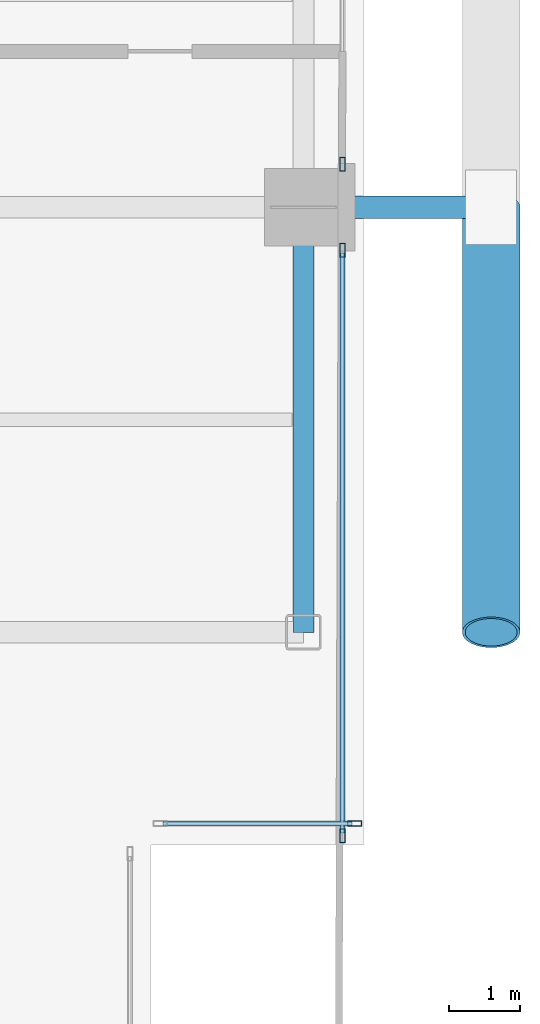
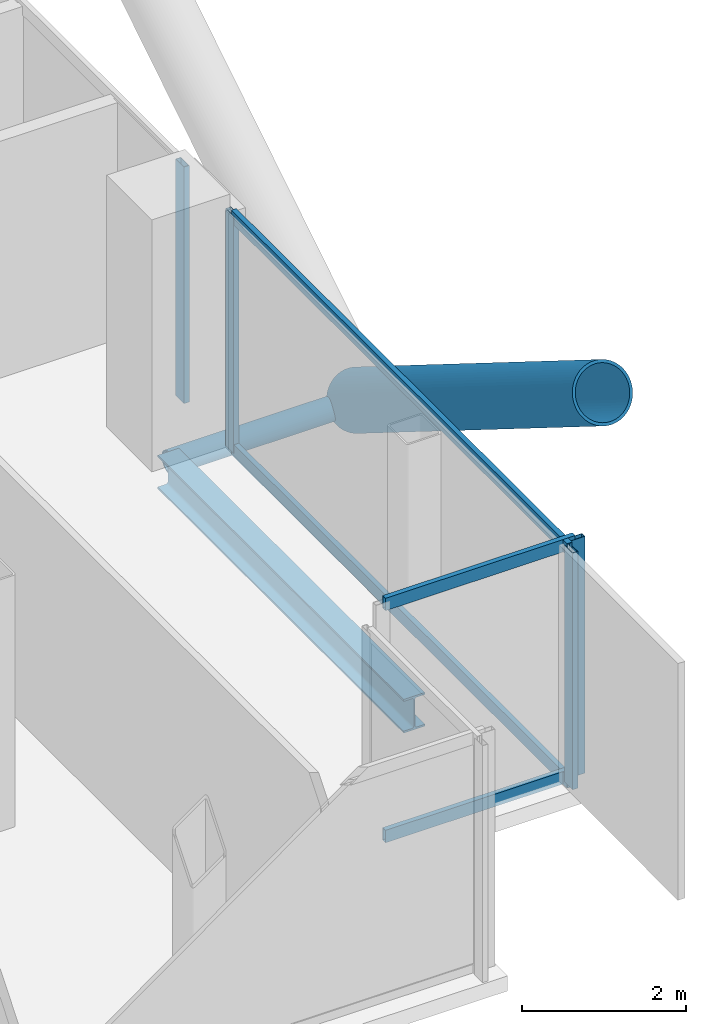
# One storey, part 11 of 24: 10 members, 1 beam, 3 elements without a shape of their own.
"""IFC4 building model written with IfcOpenShell, lengths in metres."""

from ifc_helpers import new_model, si_unit, direction, frame, origin, origin_2d, place, context, subcontext, project, spatial, hollow_rectangle, hollow_circle, i_section, extrude, material, layer, layer_set, material_profile, profile_set, type_object, element, aggregate, save


model = new_model("IFC4")

# Units and contexts
model_context = context("Model", 3, precision=1e-05, world=origin(), true_north=direction((0.0, 1.0)))
body_context = subcontext(model_context, "Body", "Model", "MODEL_VIEW")
ifc_project = project(units=[si_unit("LENGTHUNIT", "METRE"), si_unit("AREAUNIT", "SQUARE_METRE"), si_unit("VOLUMEUNIT", "CUBIC_METRE"), si_unit("PLANEANGLEUNIT", "RADIAN"), si_unit("MASSUNIT", "GRAM", prefix="KILO"), si_unit("THERMODYNAMICTEMPERATUREUNIT", "KELVIN"), si_unit("POWERUNIT", "WATT")], contexts=[model_context])

# Site, building, storey
site_placement = place(None, origin())
site = spatial("IfcSite", under=ifc_project, at=site_placement, CompositionType="ELEMENT")
building_placement = place(site_placement, origin())
building = spatial("IfcBuilding", under=site, at=building_placement, Name="Svarakhadi Broadcast Tower", CompositionType="ELEMENT")
storey_placement = place(building_placement, frame((0.0, 0.0, 145.64990234375)))
storey = spatial("IfcBuildingStorey", under=building, at=storey_placement, Name="L35", CompositionType="ELEMENT", Elevation=145.64990234375)

# Curtain wall, member
ifc_material_1 = material(Name="Anodised Bronze Aluminium AA 6063-T6", Category="aluminium")
ifc_layer = layer(ifc_material_1, 0.199951171875)
ifc_layer_set = layer_set([ifc_layer], Name="Anodised Bronze Aluminium AA 6063-T6")
curtain_wall_type = type_object("IfcCurtainWallType", Name="CW_Sys_03", PredefinedType="NOTDEFINED", material=ifc_layer_set)
curtain_wall_1_placement = place(storey_placement, origin())
curtain_wall_1 = element("IfcCurtainWall", 1, at=curtain_wall_1_placement, inside=storey, type_object=curtain_wall_type, Name="L35 Unitised Facade Curtain Wall 13 Bay 1", PredefinedType="NOTDEFINED")
ifc_material_profile_1 = material_profile(ifc_material_1, hollow_rectangle(XDim=0.074951171875, YDim=0.199951171875, WallThickness=0.005615234375, at=origin_2d()), Name="ALU MULLION 200x75x6")
ifc_profile_set_1 = profile_set([ifc_material_profile_1], Name="Anodised Bronze Aluminium AA 6063-T6")
member_type_1 = type_object("IfcMemberType", Name="CW_Sys_03_Mul", PredefinedType="MULLION", material=ifc_profile_set_1)
member_1_placement = place(storey_placement, frame((47.699951171875, 12.607421875, 0.0), z_axis=(0.0, 0.0, 1.0), x_axis=(1.0, 0.0, 0.0)))
member_1 = element("IfcMember", 2, at=member_1_placement, type_object=member_type_1, Name="CW-03 mullion 2", PredefinedType="MULLION", context=body_context, shape_type="SweptSolid", body=[
    extrude(hollow_rectangle(XDim=0.074951171875, YDim=0.199951171875, WallThickness=0.005615234375, at=origin_2d()), origin(), (0.0, 0.0, 1.0), 3.525146484375),
])
aggregate(curtain_wall_1, [member_1])

# Curtain wall, members
curtain_wall_2_placement = place(storey_placement, origin())
curtain_wall_2 = element("IfcCurtainWall", 3, at=curtain_wall_2_placement, inside=storey, type_object=curtain_wall_type, Name="L35 Unitised Facade Curtain Wall 13 Bay 2", PredefinedType="NOTDEFINED")
member_2_placement = place(storey_placement, frame((47.699951171875, 11.392578125, 0.0), z_axis=(0.0, 0.0, 1.0), x_axis=(1.0, 0.0, 0.0)))
member_2 = element("IfcMember", 4, at=member_2_placement, type_object=member_type_1, Name="CW-03 mullion 1", PredefinedType="MULLION", context=body_context, shape_type="SweptSolid", body=[
    extrude(hollow_rectangle(XDim=0.074951171875, YDim=0.199951171875, WallThickness=0.005615234375, at=origin_2d()), origin(), (0.0, 0.0, 1.0), 3.525146484375),
])
member_3_placement = place(storey_placement, frame((47.699951171875, 3.12744140625, 0.0), z_axis=(0.0, 0.0, 1.0), x_axis=(1.0, 0.0, 0.0)))
member_3 = element("IfcMember", 5, at=member_3_placement, type_object=member_type_1, Name="CW-03 mullion 2", PredefinedType="MULLION", context=body_context, shape_type="SweptSolid", body=[
    extrude(hollow_rectangle(XDim=0.074951171875, YDim=0.199951171875, WallThickness=0.005615234375, at=origin_2d()), origin(), (0.0, 0.0, 1.0), 3.525146484375),
])

# Curtain wall, member
curtain_wall_3_placement = place(storey_placement, origin())
curtain_wall_3 = element("IfcCurtainWall", 6, at=curtain_wall_3_placement, inside=storey, type_object=curtain_wall_type, Name="L35 Unitised Facade Curtain Wall 14", PredefinedType="NOTDEFINED")
member_4_placement = place(storey_placement, frame((47.87255859375, 3.300048828125, 0.0), z_axis=(0.0, 0.0, 1.0), x_axis=(0.0, -1.0, 0.0)))
member_4 = element("IfcMember", 7, at=member_4_placement, type_object=member_type_1, Name="CW-03 mullion 1", PredefinedType="MULLION", context=body_context, shape_type="SweptSolid", body=[
    extrude(hollow_rectangle(XDim=0.074951171875, YDim=0.199951171875, WallThickness=0.005615234375, at=origin_2d()), origin(), (0.0, 0.0, 1.0), 3.525146484375),
])

# Member
ifc_material_profile_2 = material_profile(ifc_material_1, hollow_rectangle(XDim=0.070068359375, YDim=0.18505859375, WallThickness=0.0048828125, at=origin_2d()), Name="ALU TRANSOM 185x70x5")
ifc_profile_set_2 = profile_set([ifc_material_profile_2], Name="Anodised Bronze Aluminium AA 6063-T6")
member_type_2 = type_object("IfcMemberType", Name="CW_Sys_03_Trn", PredefinedType="USERDEFINED", material=ifc_profile_set_2)
member_5_placement = place(storey_placement, frame((47.699951171875, 11.35498046875, 0.03515625), z_axis=(0.0, -1.0, 0.0), x_axis=(1.0, 0.0, 0.0)))
member_5 = element("IfcMember", 8, at=member_5_placement, type_object=member_type_2, Name="CW-03 transom 1.1", ObjectType="TRANSOM", PredefinedType="USERDEFINED", context=body_context, shape_type="SweptSolid", body=[
    extrude(hollow_rectangle(XDim=0.070068359375, YDim=0.18505859375, WallThickness=0.0048828125, at=origin_2d()), origin(), (0.0, 0.0, 1.0), 8.18994140625),
])

member_6_placement = place(storey_placement, frame((47.699951171875, 11.35498046875, 3.489990234375), z_axis=(0.0, -1.0, 0.0), x_axis=(1.0, 0.0, 0.0)))
member_6 = element("IfcMember", 9, at=member_6_placement, type_object=member_type_2, Name="CW-03 transom 1.2", ObjectType="TRANSOM", PredefinedType="USERDEFINED", context=body_context, shape_type="SweptSolid", body=[
    extrude(hollow_rectangle(XDim=0.070068359375, YDim=0.18505859375, WallThickness=0.0048828125, at=origin_2d()), origin(), (0.0, 0.0, 1.0), 8.18994140625),
])

aggregate(curtain_wall_2, [member_2, member_3, member_5, member_6])

member_7_placement = place(storey_placement, frame((47.8349609375, 3.300048828125, 0.03515625), z_axis=(-1.0, 0.0, 0.0), x_axis=(0.0, -1.0, 0.0)))
member_7 = element("IfcMember", 10, at=member_7_placement, type_object=member_type_2, Name="CW-03 transom 1.1", ObjectType="TRANSOM", PredefinedType="USERDEFINED", context=body_context, shape_type="SweptSolid", body=[
    extrude(hollow_rectangle(XDim=0.070068359375, YDim=0.18505859375, WallThickness=0.0048828125, at=origin_2d()), origin(), (0.0, 0.0, 1.0), 2.669921875),
])

member_8_placement = place(storey_placement, frame((47.8349609375, 3.300048828125, 3.489990234375), z_axis=(-1.0, 0.0, 0.0), x_axis=(0.0, -1.0, 0.0)))
member_8 = element("IfcMember", 11, at=member_8_placement, type_object=member_type_2, Name="CW-03 transom 1.2", ObjectType="TRANSOM", PredefinedType="USERDEFINED", context=body_context, shape_type="SweptSolid", body=[
    extrude(hollow_rectangle(XDim=0.070068359375, YDim=0.18505859375, WallThickness=0.0048828125, at=origin_2d()), origin(), (0.0, 0.0, 1.0), 2.669921875),
])

aggregate(curtain_wall_3, [member_4, member_7, member_8])

# Members
ifc_material_2 = material(Name="Steel S460ML (IS 2062 E450BR)", Category="steel")
ifc_material_profile_3 = material_profile(ifc_material_2, hollow_circle(Radius=0.406494140625, WallThickness=0.0400390625, at=origin_2d()), Name="CHS 813x40")
ifc_profile_set_3 = profile_set([ifc_material_profile_3], Name="Steel S460ML (IS 2062 E450BR)")
member_type_3 = type_object("IfcMemberType", Name="Exo_Brace_CHS813", PredefinedType="BRACE", material=ifc_profile_set_3)
member_9_placement = place(storey_placement, frame((49.800048828125, 12.0, -0.386962890625), z_axis=(0.0, -0.847998304005, 0.529998940003), x_axis=(1.0, 0.0, 0.0)))
element("IfcMember", 12, at=member_9_placement, inside=storey, type_object=member_type_3, Name="L35 Exposed Bronze Exoskeleton Diagonal E06", PredefinedType="BRACE", context=body_context, shape_type="SweptSolid", body=[
    extrude(hollow_circle(Radius=0.406494140625, WallThickness=0.0400390625, at=origin_2d()), origin(), (0.0, 0.0, 1.0), 7.075439453125),
])
ifc_material_profile_4 = material_profile(ifc_material_2, hollow_circle(Radius=0.161865234375, WallThickness=0.01611328125, at=origin_2d()), Name="CHS 323.9x16")
ifc_profile_set_4 = profile_set([ifc_material_profile_4], Name="Steel S460ML (IS 2062 E450BR)")
member_type_4 = type_object("IfcMemberType", Name="Exo_Radial_Strut_Z2", PredefinedType="STRUT", material=ifc_profile_set_4)
member_10_placement = place(storey_placement, frame((49.800048828125, 12.0, -0.386962890625), z_axis=(-1.0, 0.0, 0.0), x_axis=(0.0, -1.0, 0.0)))
element("IfcMember", 13, at=member_10_placement, inside=storey, type_object=member_type_4, Name="L35 Exoskeleton Radial Tie Strut E05", PredefinedType="STRUT", context=body_context, shape_type="SweptSolid", body=[
    extrude(hollow_circle(Radius=0.161865234375, WallThickness=0.01611328125, at=origin_2d()), origin(), (0.0, 0.0, 1.0), 2.650146484375),
])

# Beam
ifc_material_3 = material(Name="Steel S355J2 (IS 2062 E350C)", Category="steel")
ifc_material_profile_5 = material_profile(ifc_material_3, i_section(OverallWidth=0.300048828125, OverallDepth=0.5, WebThickness=0.014404296875, FlangeThickness=0.028076171875, FilletRadius=0.027099609375, at=origin_2d()), Name="WPB 500x300x187")
ifc_profile_set_5 = profile_set([ifc_material_profile_5], Name="Steel S355J2 (IS 2062 E350C)")
beam_type = type_object("IfcBeamType", Name="Girder_WPB500", PredefinedType="USERDEFINED", material=ifc_profile_set_5)
beam_placement = place(storey_placement, frame((47.14990234375, 6.0, -0.474853515625), z_axis=(0.0, 1.0, 0.0), x_axis=(-1.0, 0.0, 0.0)))
element("IfcBeam", 14, at=beam_placement, inside=storey, type_object=beam_type, Name="L35 Primary N-S Girder G073", ObjectType="GIRDER", PredefinedType="USERDEFINED", context=body_context, shape_type="SweptSolid", body=[
    extrude(i_section(OverallWidth=0.300048828125, OverallDepth=0.5, WebThickness=0.014404296875, FlangeThickness=0.028076171875, FilletRadius=0.027099609375, at=origin_2d()), origin(), (0.0, 0.0, 1.0), 6.0),
])

save(model, "model.ifc")
